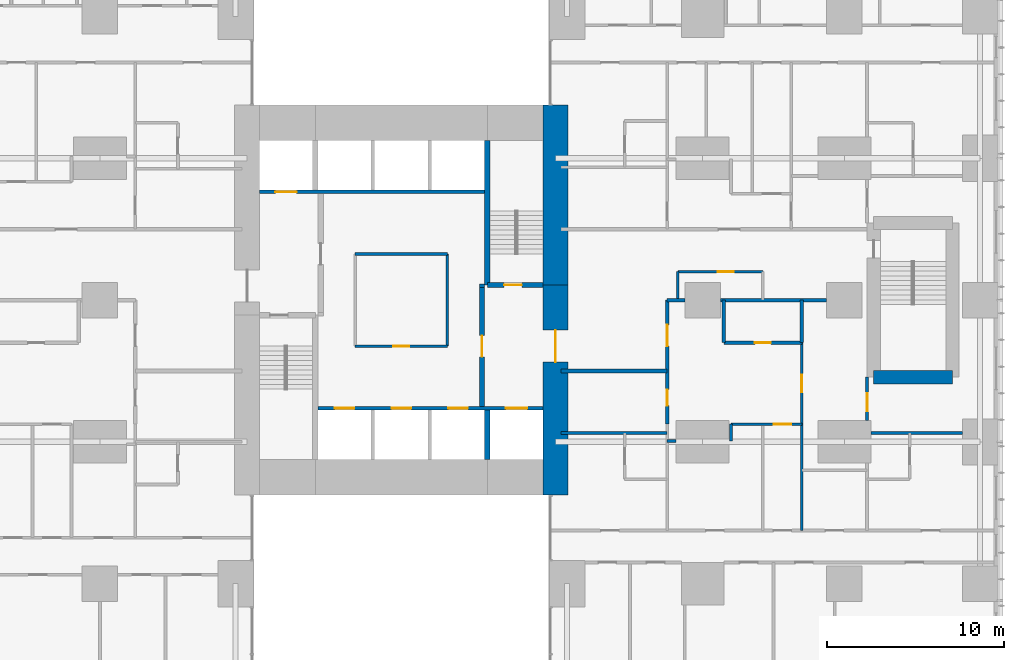
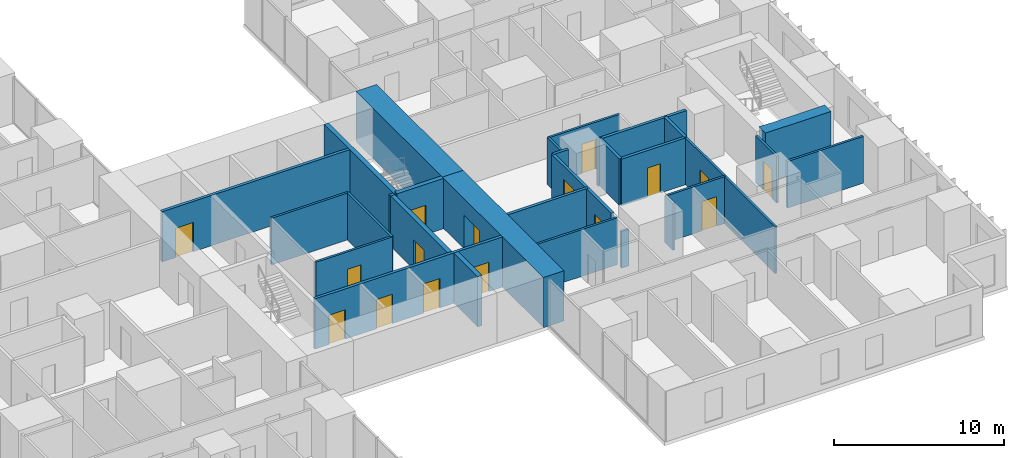
# One storey, part 15 of 20: 29 walls, 16 doors, 16 openings.
"""IFC4 building model written with IfcOpenShell, lengths in metres."""

from ifc_helpers import new_model, si_unit, direction, frame, frame_2d, origin, place, context, subcontext, project, spatial, rectangle, extrude, material, layer, layer_set, type_object, element, fill, save


model = new_model("IFC4")

# Units and contexts
model_context = context("Model", 3, precision=1e-05, world=origin(), true_north=direction((0.0, 1.0)))
body_context = subcontext(model_context, "Body", "Model", "MODEL_VIEW")
ifc_project = project(units=[si_unit("LENGTHUNIT", "METRE"), si_unit("AREAUNIT", "SQUARE_METRE"), si_unit("VOLUMEUNIT", "CUBIC_METRE"), si_unit("PLANEANGLEUNIT", "RADIAN"), si_unit("MASSUNIT", "GRAM", prefix="KILO")], contexts=[model_context])

# Site, building, storey
site_placement = place(None, origin())
site = spatial("IfcSite", under=ifc_project, at=site_placement, CompositionType="ELEMENT")
building_placement = place(site_placement, origin())
building = spatial("IfcBuilding", under=site, at=building_placement, Name="Cleftline Residences", CompositionType="ELEMENT")
storey_placement = place(building_placement, frame((0.0, 0.0, 121.39990234375)))
storey = spatial("IfcBuildingStorey", under=building, at=storey_placement, Name="L31", CompositionType="ELEMENT", Elevation=121.39990234375)

# Wall, opening, door
ifc_material_1 = material(Name="Concrete B70", Category="concrete")
ifc_layer_1 = layer(ifc_material_1, 1.39990234375)
ifc_layer_set_1 = layer_set([ifc_layer_1], Name="CORE WALL 1400")
wall_type_1 = type_object("IfcWallType", Name="CORE WALL 1400", PredefinedType="SHEAR", material=ifc_layer_set_1)
wall_1_placement = place(storey_placement, frame((41.699951171875, 13.0, 0.0), z_axis=(0.0, 0.0, 1.0), x_axis=(0.0, 1.0, 0.0)))
wall_1 = element("IfcWall", 1, at=wall_1_placement, inside=storey, type_object=wall_type_1, Name="Core wall E", PredefinedType="SHEAR", context=body_context, shape_type="SweptSolid", body=[
    extrude(rectangle(XDim=11.85009765625, YDim=1.39990234375, at=frame_2d((5.925048828125, 0.0))), origin(), (0.0, 0.0, 1.0), 3.60009765625),
])
opening_1_placement = place(wall_1_placement, frame((7.5, 0.0, 0.0)))
opening_1 = element("IfcOpeningElement", 2, at=opening_1_placement, cuts=wall_1, Name="Opening D7", PredefinedType="OPENING", context=body_context, shape_type="SweptSolid", body=[
    extrude(rectangle(XDim=1.800048828125, YDim=2.39990234375, at=frame_2d((0.89990234375, 1.199951171875))), frame((0.0, 0.7099609375, 0.0), z_axis=(0.0, -1.0, 0.0), x_axis=(1.0, 0.0, 0.0)), (0.0, 0.0, 1.0), 1.419921875),
])
ifc_material_2 = material(Name="Steel", Category="steel")
door_type_1 = type_object("IfcDoorType", Name="WING DOOR 1800X2400", OperationType="DOUBLE_DOOR_DOUBLE_SWING", PredefinedType="DOOR", material=ifc_material_2)
door_1_placement = place(opening_1_placement, origin())
door_1 = element("IfcDoor", 3, at=door_1_placement, inside=storey, type_object=door_type_1, Name="East wing door", OperationType="DOUBLE_DOOR_DOUBLE_SWING", OverallHeight=2.39990234375, OverallWidth=1.800048828125, PredefinedType="DOOR", context=body_context, shape_type="SweptSolid", body=[
    extrude(rectangle(XDim=1.800048828125, YDim=2.39990234375, at=frame_2d((0.89990234375, 1.199951171875))), frame((0.0, 0.02490234375, 0.0), z_axis=(0.0, -1.0, 0.0), x_axis=(1.0, 0.0, 0.0)), (0.0, 0.0, 1.0), 0.050048828125),
])
fill(opening_1, door_1)

# Walls
wall_2_placement = place(storey_placement, frame((41.699951171875, 24.85009765625, 0.0), z_axis=(0.0, 0.0, 1.0), x_axis=(0.0, 1.0, 0.0)))
element("IfcWall", 4, at=wall_2_placement, inside=storey, type_object=wall_type_1, Name="Core wall E1", PredefinedType="SHEAR", context=body_context, shape_type="SweptSolid", body=[
    extrude(rectangle(XDim=10.14990234375, YDim=1.39990234375, at=frame_2d((5.074951171875, 0.0))), origin(), (0.0, 0.0, 1.0), 3.60009765625),
])
ifc_material_3 = material(Name="Concrete B70", Category="concrete")
ifc_layer_2 = layer(ifc_material_3, 0.300048828125)
ifc_layer_set_2 = layer_set([ifc_layer_2], Name="CORE WALL 300")
wall_type_2 = type_object("IfcWallType", Name="CORE WALL 300", PredefinedType="SHEAR", material=ifc_layer_set_2)
wall_3_placement = place(storey_placement, frame((37.85009765625, 24.85009765625, 0.0), z_axis=(0.0, 0.0, 1.0), x_axis=(0.0, 1.0, 0.0)))
element("IfcWall", 5, at=wall_3_placement, inside=storey, type_object=wall_type_2, Name="Core wall SB-W", PredefinedType="SHEAR", context=body_context, shape_type="SweptSolid", body=[
    extrude(rectangle(XDim=8.14990234375, YDim=0.300048828125, at=frame_2d((4.074951171875, 0.0))), origin(), (0.0, 0.0, 1.0), 3.60009765625),
])

# Wall, opening, door
wall_4_placement = place(storey_placement, frame((37.85009765625, 24.85009765625, 0.0), z_axis=(0.0, 0.0, 1.0), x_axis=(1.0, 0.0, 0.0)))
wall_4 = element("IfcWall", 6, at=wall_4_placement, inside=storey, type_object=wall_type_2, Name="Core wall SB-S", PredefinedType="SHEAR", context=body_context, shape_type="SweptSolid", body=[
    extrude(rectangle(XDim=3.14990234375, YDim=0.300048828125, at=frame_2d((1.574951171875, 0.0))), origin(), (0.0, 0.0, 1.0), 3.60009765625),
])
opening_2_placement = place(wall_4_placement, frame((0.949951171875, 0.0, 0.0)))
opening_2 = element("IfcOpeningElement", 7, at=opening_2_placement, cuts=wall_4, Name="Opening D5", PredefinedType="OPENING", context=body_context, shape_type="SweptSolid", body=[
    extrude(rectangle(XDim=1.0, YDim=2.10009765625, at=frame_2d((0.5, 1.050048828125))), frame((0.0, 0.159912109375, 0.0), z_axis=(0.0, -1.0, 0.0), x_axis=(1.0, 0.0, 0.0)), (0.0, 0.0, 1.0), 0.320068359375),
])
ifc_material_4 = material(Name="Steel", Category="steel")
door_type_2 = type_object("IfcDoorType", Name="STAIR DOOR 1000X2100", OperationType="SINGLE_SWING_LEFT", PredefinedType="DOOR", material=ifc_material_4)
door_2_placement = place(opening_2_placement, origin())
door_2 = element("IfcDoor", 8, at=door_2_placement, inside=storey, type_object=door_type_2, Name="Stair B door", OperationType="SINGLE_SWING_RIGHT", OverallHeight=2.10009765625, OverallWidth=1.0, PredefinedType="DOOR", context=body_context, shape_type="SweptSolid", body=[
    extrude(rectangle(XDim=1.0, YDim=2.10009765625, at=frame_2d((0.5, 1.050048828125))), frame((0.0, 0.02490234375, 0.0), z_axis=(0.0, -1.0, 0.0), x_axis=(1.0, 0.0, 0.0)), (0.0, 0.0, 1.0), 0.050048828125),
])
fill(opening_2, door_2)

# Walls
wall_5_placement = place(storey_placement, frame((37.85009765625, 15.0, 0.0), z_axis=(0.0, 0.0, 1.0), x_axis=(0.0, 1.0, 0.0)))
element("IfcWall", 9, at=wall_5_placement, inside=storey, type_object=wall_type_2, Name="Lift shaft wall", PredefinedType="SHEAR", context=body_context, shape_type="SweptSolid", body=[
    extrude(rectangle(XDim=2.800048828125, YDim=0.300048828125, at=frame_2d((1.39990234375, 0.0))), origin(), (0.0, 0.0, 1.0), 3.60009765625),
])
ifc_material_5 = material(Name="Concrete blockwork, fire rated", Category="masonry")
ifc_layer_3 = layer(ifc_material_5, 0.199951171875)
ifc_layer_set_3 = layer_set([ifc_layer_3], Name="FIRE WALL 200")
wall_type_3 = type_object("IfcWallType", Name="FIRE WALL 200", PredefinedType="PARTITIONING", material=ifc_layer_set_3)
wall_6_placement = place(storey_placement, frame((42.0, 20.0, 0.0), z_axis=(0.0, 0.0, 1.0), x_axis=(1.0, 0.0, 0.0)))
element("IfcWall", 10, at=wall_6_placement, inside=storey, type_object=wall_type_3, Name="Fire separating wall", PredefinedType="PARTITIONING", context=body_context, shape_type="SweptSolid", body=[
    extrude(rectangle(XDim=6.0, YDim=0.199951171875, at=frame_2d((3.0, 0.0))), origin(), (0.0, 0.0, 1.0), 3.35009765625),
])

# Wall, opening, door
wall_7_placement = place(storey_placement, frame((51.199951171875, 21.60009765625, 0.0), z_axis=(0.0, 0.0, 1.0), x_axis=(1.0, 0.0, 0.0)))
wall_7 = element("IfcWall", 11, at=wall_7_placement, inside=storey, type_object=wall_type_3, Name="Fire separating wall", PredefinedType="PARTITIONING", context=body_context, shape_type="SweptSolid", body=[
    extrude(rectangle(XDim=4.400146484375, YDim=0.199951171875, at=frame_2d((2.2001953125, 0.0))), origin(), (0.0, 0.0, 1.0), 3.35009765625),
])
opening_3_placement = place(wall_7_placement, frame((1.75, 0.0, 0.0)))
opening_3 = element("IfcOpeningElement", 12, at=opening_3_placement, cuts=wall_7, Name="Opening D1F30", PredefinedType="OPENING", context=body_context, shape_type="SweptSolid", body=[
    extrude(rectangle(XDim=0.89990234375, YDim=2.10009765625, at=frame_2d((0.449951171875, 1.050048828125))), frame((0.0, 0.10986328125, 0.0), z_axis=(0.0, -1.0, 0.0), x_axis=(1.0, 0.0, 0.0)), (0.0, 0.0, 1.0), 0.219970703125),
])
ifc_material_6 = material(Name="Timber veneer on solid core", Category="wood")
door_type_3 = type_object("IfcDoorType", Name="DOOR 900X2100 EI 30", OperationType="SINGLE_SWING_LEFT", PredefinedType="DOOR", material=ifc_material_6)
door_3_placement = place(opening_3_placement, origin())
door_3 = element("IfcDoor", 13, at=door_3_placement, inside=storey, type_object=door_type_3, Name="Door to cloakroom wc", OperationType="SINGLE_SWING_LEFT", OverallHeight=2.10009765625, OverallWidth=0.89990234375, PredefinedType="DOOR", context=body_context, shape_type="SweptSolid", body=[
    extrude(rectangle(XDim=0.89990234375, YDim=2.10009765625, at=frame_2d((0.449951171875, 1.050048828125))), frame((0.0, 0.02490234375, 0.0), z_axis=(0.0, -1.0, 0.0), x_axis=(1.0, 0.0, 0.0)), (0.0, 0.0, 1.0), 0.050048828125),
])
fill(opening_3, door_3)

# Walls
wall_8_placement = place(storey_placement, frame((48.0, 24.0, 0.0), z_axis=(0.0, 0.0, 1.0), x_axis=(1.0, 0.0, 0.0)))
element("IfcWall", 14, at=wall_8_placement, inside=storey, type_object=wall_type_3, Name="Fire separating wall", PredefinedType="PARTITIONING", context=body_context, shape_type="SweptSolid", body=[
    extrude(rectangle(XDim=1.0, YDim=0.199951171875, at=frame_2d((0.5, 0.0))), origin(), (0.0, 0.0, 1.0), 3.35009765625),
])
wall_9_placement = place(storey_placement, frame((51.0, 24.0, 0.0), z_axis=(0.0, 0.0, 1.0), x_axis=(1.0, 0.0, 0.0)))
element("IfcWall", 15, at=wall_9_placement, inside=storey, type_object=wall_type_3, Name="Fire separating wall", PredefinedType="PARTITIONING", context=body_context, shape_type="SweptSolid", body=[
    extrude(rectangle(XDim=6.0, YDim=0.199951171875, at=frame_2d((3.0, 0.0))), origin(), (0.0, 0.0, 1.0), 3.35009765625),
])

# Wall, openings, doors
wall_10_placement = place(storey_placement, frame((48.0, 17.0, 0.0), z_axis=(0.0, 0.0, 1.0), x_axis=(0.0, 1.0, 0.0)))
wall_10 = element("IfcWall", 16, at=wall_10_placement, inside=storey, type_object=wall_type_3, Name="Fire separating wall", PredefinedType="PARTITIONING", context=body_context, shape_type="SweptSolid", body=[
    extrude(rectangle(XDim=7.0, YDim=0.199951171875, at=frame_2d((3.5, 0.0))), origin(), (0.0, 0.0, 1.0), 3.35009765625),
])
opening_4_placement = place(wall_10_placement, frame((4.39990234375, 0.0, 0.0)))
opening_4 = element("IfcOpeningElement", 17, at=opening_4_placement, cuts=wall_10, Name="Opening D4", PredefinedType="OPENING", context=body_context, shape_type="SweptSolid", body=[
    extrude(rectangle(XDim=1.199951171875, YDim=2.39990234375, at=frame_2d((0.60009765625, 1.199951171875))), frame((0.0, 0.10986328125, 0.0), z_axis=(0.0, -1.0, 0.0), x_axis=(1.0, 0.0, 0.0)), (0.0, 0.0, 1.0), 0.219970703125),
])
opening_5_placement = place(wall_10_placement, frame((1.050048828125, 0.0, 0.0)))
opening_5 = element("IfcOpeningElement", 18, at=opening_5_placement, cuts=wall_10, Name="Opening D1F30", PredefinedType="OPENING", context=body_context, shape_type="SweptSolid", body=[
    extrude(rectangle(XDim=0.89990234375, YDim=2.10009765625, at=frame_2d((0.449951171875, 1.050048828125))), frame((0.0, 0.10986328125, 0.0), z_axis=(0.0, -1.0, 0.0), x_axis=(1.0, 0.0, 0.0)), (0.0, 0.0, 1.0), 0.219970703125),
])
ifc_material_7 = material(Name="Timber veneer on solid core", Category="wood")
door_type_4 = type_object("IfcDoorType", Name="APARTMENT ENTRANCE DOOR 1200X2400", OperationType="SINGLE_SWING_RIGHT", PredefinedType="DOOR", material=ifc_material_7)
door_4_placement = place(opening_4_placement, origin())
door_4 = element("IfcDoor", 19, at=door_4_placement, inside=storey, type_object=door_type_4, Name="Door to residence entrance foyer", OperationType="SINGLE_SWING_LEFT", OverallHeight=2.39990234375, OverallWidth=1.199951171875, PredefinedType="DOOR", context=body_context, shape_type="SweptSolid", body=[
    extrude(rectangle(XDim=1.199951171875, YDim=2.39990234375, at=frame_2d((0.60009765625, 1.199951171875))), frame((0.0, 0.02490234375, 0.0), z_axis=(0.0, -1.0, 0.0), x_axis=(1.0, 0.0, 0.0)), (0.0, 0.0, 1.0), 0.050048828125),
])
fill(opening_4, door_4)
door_5_placement = place(opening_5_placement, origin())
door_5 = element("IfcDoor", 20, at=door_5_placement, inside=storey, type_object=door_type_3, Name="Door to laundry", OperationType="SINGLE_SWING_RIGHT", OverallHeight=2.10009765625, OverallWidth=0.89990234375, PredefinedType="DOOR", context=body_context, shape_type="SweptSolid", body=[
    extrude(rectangle(XDim=0.89990234375, YDim=2.10009765625, at=frame_2d((0.449951171875, 1.050048828125))), frame((0.0, 0.02490234375, 0.0), z_axis=(0.0, -1.0, 0.0), x_axis=(1.0, 0.0, 0.0)), (0.0, 0.0, 1.0), 0.050048828125),
])
fill(opening_5, door_5)

# Walls
for number, where, z_axis, x_axis, name in (
    (21, (51.199951171875, 21.60009765625, 0.0), (0.0, 0.0, 1.0), (0.0, 1.0, 0.0), "Fire separating wall"),
    (22, (55.60009765625, 21.60009765625, 0.0), (0.0, 0.0, 1.0), (0.0, 1.0, 0.0), "Fire separating wall"),
):
    element("IfcWall", number, at=place(storey_placement, frame(where, z_axis=z_axis, x_axis=x_axis)), inside=storey, type_object=wall_type_3, Name=name, PredefinedType="PARTITIONING", context=body_context, shape_type="SweptSolid", body=[
        extrude(rectangle(XDim=2.39990234375, YDim=0.199951171875, at=frame_2d((1.199951171875, 0.0))), origin(), (0.0, 0.0, 1.0), 3.35009765625),
    ])
wall_11_placement = place(storey_placement, frame((37.39990234375, 24.800048828125, 0.0), z_axis=(0.0, 0.0, 1.0), x_axis=(1.0, 0.0, 0.0)))
element("IfcWall", 23, at=wall_11_placement, inside=storey, type_object=wall_type_3, Name="Fire separating wall", PredefinedType="PARTITIONING", context=body_context, shape_type="SweptSolid", body=[
    extrude(rectangle(XDim=0.300048828125, YDim=0.199951171875, at=frame_2d((0.14990234375, 0.0))), origin(), (0.0, 0.0, 1.0), 3.60009765625),
])
ifc_material_8 = material(Name="Gypsum board on steel studs", Category="steel")
ifc_layer_4 = layer(ifc_material_8, 0.14990234375)
ifc_layer_set_4 = layer_set([ifc_layer_4], Name="PARTITION 150")
wall_type_4 = type_object("IfcWallType", Name="PARTITION 150", PredefinedType="PARTITIONING", material=ifc_layer_set_4)
wall_12_placement = place(storey_placement, frame((48.0, 16.050048828125, 0.0), z_axis=(0.0, 0.0, 1.0), x_axis=(1.0, 0.0, 0.0)))
element("IfcWall", 24, at=wall_12_placement, inside=storey, type_object=wall_type_4, Name="Partition", PredefinedType="PARTITIONING", context=body_context, shape_type="SweptSolid", body=[
    extrude(rectangle(XDim=0.5, YDim=0.14990234375, at=frame_2d((0.25, 0.0))), origin(), (0.0, 0.0, 1.0), 2.634033203125),
])
wall_13_placement = place(storey_placement, frame((42.0, 16.5, 0.0), z_axis=(0.0, 0.0, 1.0), x_axis=(1.0, 0.0, 0.0)))
element("IfcWall", 25, at=wall_13_placement, inside=storey, type_object=wall_type_4, Name="Partition", PredefinedType="PARTITIONING", context=body_context, shape_type="SweptSolid", body=[
    extrude(rectangle(XDim=6.0, YDim=0.14990234375, at=frame_2d((3.0, 0.0))), origin(), (0.0, 0.0, 1.0), 3.35009765625),
])
wall_14_placement = place(storey_placement, frame((59.5, 16.5, 0.0), z_axis=(0.0, 0.0, 1.0), x_axis=(1.0, 0.0, 0.0)))
element("IfcWall", 26, at=wall_14_placement, inside=storey, type_object=wall_type_4, Name="Partition", PredefinedType="PARTITIONING", context=body_context, shape_type="SweptSolid", body=[
    extrude(rectangle(XDim=5.14990234375, YDim=0.14990234375, at=frame_2d((2.574951171875, 0.0))), origin(), (0.0, 0.0, 1.0), 3.35009765625),
])

# Wall, opening, door
wall_15_placement = place(storey_placement, frame((51.60009765625, 17.0, 0.0), z_axis=(0.0, 0.0, 1.0), x_axis=(1.0, 0.0, 0.0)))
wall_15 = element("IfcWall", 27, at=wall_15_placement, inside=storey, type_object=wall_type_4, Name="Partition", PredefinedType="PARTITIONING", context=body_context, shape_type="SweptSolid", body=[
    extrude(rectangle(XDim=4.0, YDim=0.14990234375, at=frame_2d((2.0, 0.0))), origin(), (0.0, 0.0, 1.0), 3.35009765625),
])
opening_6_placement = place(wall_15_placement, frame((2.39990234375, 0.0, 0.0)))
opening_6 = element("IfcOpeningElement", 28, at=opening_6_placement, cuts=wall_15, Name="Opening D2", PredefinedType="OPENING", context=body_context, shape_type="SweptSolid", body=[
    extrude(rectangle(XDim=1.0, YDim=2.10009765625, at=frame_2d((0.5, 1.050048828125))), frame((0.0, 0.0849609375, 0.0), z_axis=(0.0, -1.0, 0.0), x_axis=(1.0, 0.0, 0.0)), (0.0, 0.0, 1.0), 0.169921875),
])
ifc_material_9 = material(Name="Timber veneer on solid core", Category="wood")
door_type_5 = type_object("IfcDoorType", Name="DOOR 1000X2100", OperationType="SINGLE_SWING_LEFT", PredefinedType="DOOR", material=ifc_material_9)
door_6_placement = place(opening_6_placement, origin())
door_6 = element("IfcDoor", 29, at=door_6_placement, inside=storey, type_object=door_type_5, Name="Door to residence passage", OperationType="SINGLE_SWING_LEFT", OverallHeight=2.10009765625, OverallWidth=1.0, PredefinedType="DOOR", context=body_context, shape_type="SweptSolid", body=[
    extrude(rectangle(XDim=1.0, YDim=2.10009765625, at=frame_2d((0.5, 1.050048828125))), frame((0.0, 0.02490234375, 0.0), z_axis=(0.0, -1.0, 0.0), x_axis=(1.0, 0.0, 0.0)), (0.0, 0.0, 1.0), 0.050048828125),
])
fill(opening_6, door_6)

wall_16_placement = place(storey_placement, frame((48.60009765625, 25.60009765625, 0.0), z_axis=(0.0, 0.0, 1.0), x_axis=(1.0, 0.0, 0.0)))
wall_16 = element("IfcWall", 30, at=wall_16_placement, inside=storey, type_object=wall_type_4, Name="Partition", PredefinedType="PARTITIONING", context=body_context, shape_type="SweptSolid", body=[
    extrude(rectangle(XDim=4.7998046875, YDim=0.14990234375, at=frame_2d((2.39990234375, 0.0))), origin(), (0.0, 0.0, 1.0), 3.35009765625),
])
opening_7_placement = place(wall_16_placement, frame((2.25, 0.0, 0.0)))
opening_7 = element("IfcOpeningElement", 31, at=opening_7_placement, cuts=wall_16, Name="Opening D1", PredefinedType="OPENING", context=body_context, shape_type="SweptSolid", body=[
    extrude(rectangle(XDim=0.89990234375, YDim=2.10009765625, at=frame_2d((0.449951171875, 1.050048828125))), frame((0.0, 0.0849609375, 0.0), z_axis=(0.0, -1.0, 0.0), x_axis=(1.0, 0.0, 0.0)), (0.0, 0.0, 1.0), 0.169921875),
])
ifc_material_10 = material(Name="Timber veneer on solid core", Category="wood")
door_type_6 = type_object("IfcDoorType", Name="DOOR 900X2100", OperationType="SINGLE_SWING_LEFT", PredefinedType="DOOR", material=ifc_material_10)
door_7_placement = place(opening_7_placement, origin())
door_7 = element("IfcDoor", 32, at=door_7_placement, inside=storey, type_object=door_type_6, Name="Door to bulky waste room", OperationType="SINGLE_SWING_LEFT", OverallHeight=2.10009765625, OverallWidth=0.89990234375, PredefinedType="DOOR", context=body_context, shape_type="SweptSolid", body=[
    extrude(rectangle(XDim=0.89990234375, YDim=2.10009765625, at=frame_2d((0.449951171875, 1.050048828125))), frame((0.0, 0.02490234375, 0.0), z_axis=(0.0, -1.0, 0.0), x_axis=(1.0, 0.0, 0.0)), (0.0, 0.0, 1.0), 0.050048828125),
])
fill(opening_7, door_7)

# Walls
wall_17_placement = place(storey_placement, frame((48.60009765625, 24.0, 0.0), z_axis=(0.0, 0.0, 1.0), x_axis=(0.0, 1.0, 0.0)))
element("IfcWall", 33, at=wall_17_placement, inside=storey, type_object=wall_type_4, Name="Partition", PredefinedType="PARTITIONING", context=body_context, shape_type="SweptSolid", body=[
    extrude(rectangle(XDim=1.60009765625, YDim=0.14990234375, at=frame_2d((0.800048828125, 0.0))), origin(), (0.0, 0.0, 1.0), 3.35009765625),
])
wall_18_placement = place(storey_placement, frame((51.60009765625, 16.050048828125, 0.0), z_axis=(0.0, 0.0, 1.0), x_axis=(0.0, 1.0, 0.0)))
element("IfcWall", 34, at=wall_18_placement, inside=storey, type_object=wall_type_4, Name="Partition", PredefinedType="PARTITIONING", context=body_context, shape_type="SweptSolid", body=[
    extrude(rectangle(XDim=0.949951171875, YDim=0.14990234375, at=frame_2d((0.47509765625, 0.0))), origin(), (0.0, 0.0, 1.0), 3.35009765625),
])

# Wall, opening, door
wall_19_placement = place(storey_placement, frame((55.60009765625, 11.0, 0.0), z_axis=(0.0, 0.0, 1.0), x_axis=(0.0, 1.0, 0.0)))
wall_19 = element("IfcWall", 35, at=wall_19_placement, inside=storey, type_object=wall_type_4, Name="Partition", PredefinedType="PARTITIONING", context=body_context, shape_type="SweptSolid", body=[
    extrude(rectangle(XDim=10.60009765625, YDim=0.14990234375, at=frame_2d((5.300048828125, 0.0))), origin(), (0.0, 0.0, 1.0), 3.35009765625),
])
opening_8_placement = place(wall_19_placement, frame((7.800048828125, 0.0, 0.0)))
opening_8 = element("IfcOpeningElement", 36, at=opening_8_placement, cuts=wall_19, Name="Opening D2F30", PredefinedType="OPENING", context=body_context, shape_type="SweptSolid", body=[
    extrude(rectangle(XDim=1.0, YDim=2.10009765625, at=frame_2d((0.5, 1.050048828125))), frame((0.0, 0.0849609375, 0.0), z_axis=(0.0, -1.0, 0.0), x_axis=(1.0, 0.0, 0.0)), (0.0, 0.0, 1.0), 0.169921875),
])
ifc_material_11 = material(Name="Timber veneer on solid core", Category="wood")
door_type_7 = type_object("IfcDoorType", Name="DOOR 1000X2100 EI 30", OperationType="SINGLE_SWING_LEFT", PredefinedType="DOOR", material=ifc_material_11)
door_8_placement = place(opening_8_placement, origin())
door_8 = element("IfcDoor", 37, at=door_8_placement, inside=storey, type_object=door_type_7, Name="Door to residence lobby", OperationType="SINGLE_SWING_LEFT", OverallHeight=2.10009765625, OverallWidth=1.0, PredefinedType="DOOR", context=body_context, shape_type="SweptSolid", body=[
    extrude(rectangle(XDim=1.0, YDim=2.10009765625, at=frame_2d((0.5, 1.050048828125))), frame((0.0, 0.02490234375, 0.0), z_axis=(0.0, -1.0, 0.0), x_axis=(1.0, 0.0, 0.0)), (0.0, 0.0, 1.0), 0.050048828125),
])
fill(opening_8, door_8)

wall_20_placement = place(storey_placement, frame((59.27490234375, 17.199951171875, 0.0), z_axis=(0.0, 0.0, 1.0), x_axis=(0.0, 1.0, 0.0)))
wall_20 = element("IfcWall", 38, at=wall_20_placement, inside=storey, type_object=wall_type_4, Name="Partition", PredefinedType="PARTITIONING", context=body_context, shape_type="SweptSolid", body=[
    extrude(rectangle(XDim=2.449951171875, YDim=0.14990234375, at=frame_2d((1.22509765625, 0.0))), origin(), (0.0, 0.0, 1.0), 3.35009765625),
])
opening_9_placement = place(wall_20_placement, frame((0.53759765625, 0.0, 0.0)))
opening_9 = element("IfcOpeningElement", 39, at=opening_9_placement, cuts=wall_20, Name="Opening D2", PredefinedType="OPENING", context=body_context, shape_type="SweptSolid", body=[
    extrude(rectangle(XDim=1.0, YDim=2.10009765625, at=frame_2d((0.5, 1.050048828125))), frame((0.0, 0.0849609375, 0.0), z_axis=(0.0, -1.0, 0.0), x_axis=(1.0, 0.0, 0.0)), (0.0, 0.0, 1.0), 0.169921875),
])
door_9_placement = place(opening_9_placement, origin())
door_9 = element("IfcDoor", 40, at=door_9_placement, inside=storey, type_object=door_type_5, Name="Door to winter garden", OperationType="SINGLE_SWING_RIGHT", OverallHeight=2.10009765625, OverallWidth=1.0, PredefinedType="DOOR", context=body_context, shape_type="SweptSolid", body=[
    extrude(rectangle(XDim=1.0, YDim=2.10009765625, at=frame_2d((0.5, 1.050048828125))), frame((0.0, 0.02490234375, 0.0), z_axis=(0.0, -1.0, 0.0), x_axis=(1.0, 0.0, 0.0)), (0.0, 0.0, 1.0), 0.050048828125),
])
fill(opening_9, door_9)

ifc_material_12 = material(Name="Fire-resisting gypsum board on steel studs", Category="steel")
ifc_layer_5 = layer(ifc_material_12, 0.14990234375)
ifc_layer_set_5 = layer_set([ifc_layer_5], Name="PARTITION 150 EI 60")
wall_type_5 = type_object("IfcWallType", Name="PARTITION 150 EI 60", PredefinedType="PARTITIONING", material=ifc_layer_set_5)
wall_21_placement = place(storey_placement, frame((30.39990234375, 21.39990234375, 0.0), z_axis=(0.0, 0.0, 1.0), x_axis=(1.0, 0.0, 0.0)))
wall_21 = element("IfcWall", 41, at=wall_21_placement, inside=storey, type_object=wall_type_5, Name="Core room partition", PredefinedType="PARTITIONING", context=body_context, shape_type="SweptSolid", body=[
    extrude(rectangle(XDim=5.2001953125, YDim=0.14990234375, at=frame_2d((2.60009765625, 0.0))), origin(), (0.0, 0.0, 1.0), 3.35009765625),
])
opening_10_placement = place(wall_21_placement, frame((2.14990234375, 0.0, 0.0)))
opening_10 = element("IfcOpeningElement", 42, at=opening_10_placement, cuts=wall_21, Name="Opening D1F30", PredefinedType="OPENING", context=body_context, shape_type="SweptSolid", body=[
    extrude(rectangle(XDim=0.89990234375, YDim=2.10009765625, at=frame_2d((0.449951171875, 1.050048828125))), frame((0.0, 0.0849609375, 0.0), z_axis=(0.0, -1.0, 0.0), x_axis=(1.0, 0.0, 0.0)), (0.0, 0.0, 1.0), 0.169921875),
])
door_10_placement = place(opening_10_placement, origin())
door_10 = element("IfcDoor", 43, at=door_10_placement, inside=storey, type_object=door_type_3, Name="Door to housekeeping store", OperationType="SINGLE_SWING_LEFT", OverallHeight=2.10009765625, OverallWidth=0.89990234375, PredefinedType="DOOR", context=body_context, shape_type="SweptSolid", body=[
    extrude(rectangle(XDim=0.89990234375, YDim=2.10009765625, at=frame_2d((0.449951171875, 1.050048828125))), frame((0.0, 0.02490234375, 0.0), z_axis=(0.0, -1.0, 0.0), x_axis=(1.0, 0.0, 0.0)), (0.0, 0.0, 1.0), 0.050048828125),
])
fill(opening_10, door_10)

# Walls
for number, where, z_axis, x_axis, name in (
    (44, (30.39990234375, 26.60009765625, 0.0), (0.0, 0.0, 1.0), (1.0, 0.0, 0.0), "Core room partition"),
    (45, (35.60009765625, 21.39990234375, 0.0), (0.0, 0.0, 1.0), (0.0, 1.0, 0.0), "Core room partition"),
):
    element("IfcWall", number, at=place(storey_placement, frame(where, z_axis=z_axis, x_axis=x_axis)), inside=storey, type_object=wall_type_5, Name=name, PredefinedType="PARTITIONING", context=body_context, shape_type="SweptSolid", body=[
        extrude(rectangle(XDim=5.2001953125, YDim=0.14990234375, at=frame_2d((2.60009765625, 0.0))), origin(), (0.0, 0.0, 1.0), 3.35009765625),
    ])

# Wall, openings, doors
ifc_material_13 = material(Name="Concrete blockwork, fire rated", Category="masonry")
ifc_layer_6 = layer(ifc_material_13, 0.199951171875)
ifc_layer_set_6 = layer_set([ifc_layer_6], Name="SHAFT WALL 200")
wall_type_6 = type_object("IfcWallType", Name="SHAFT WALL 200", PredefinedType="PARTITIONING", material=ifc_layer_set_6)
wall_22_placement = place(storey_placement, frame((28.300048828125, 17.89990234375, 0.0), z_axis=(0.0, 0.0, 1.0), x_axis=(1.0, 0.0, 0.0)))
wall_22 = element("IfcWall", 46, at=wall_22_placement, inside=storey, type_object=wall_type_6, Name="Lift shaft wall", PredefinedType="PARTITIONING", context=body_context, shape_type="SweptSolid", body=[
    extrude(rectangle(XDim=12.699951171875, YDim=0.199951171875, at=frame_2d((6.35009765625, 0.0))), origin(), (0.0, 0.0, 1.0), 3.60009765625),
])
opening_11_placement = place(wall_22_placement, frame((0.949951171875, 0.0, 0.0)))
opening_11 = element("IfcOpeningElement", 47, at=opening_11_placement, cuts=wall_22, Name="Opening LD1", PredefinedType="OPENING", context=body_context, shape_type="SweptSolid", body=[
    extrude(rectangle(XDim=1.10009765625, YDim=2.10009765625, at=frame_2d((0.550048828125, 1.050048828125))), frame((0.0, 0.10986328125, 0.0), z_axis=(0.0, -1.0, 0.0), x_axis=(1.0, 0.0, 0.0)), (0.0, 0.0, 1.0), 0.219970703125),
])
opening_12_placement = place(wall_22_placement, frame((4.14990234375, 0.0, 0.0)))
opening_12 = element("IfcOpeningElement", 48, at=opening_12_placement, cuts=wall_22, Name="Opening LD1", PredefinedType="OPENING", context=body_context, shape_type="SweptSolid", body=[
    extrude(rectangle(XDim=1.10009765625, YDim=2.10009765625, at=frame_2d((0.550048828125, 1.050048828125))), frame((0.0, 0.10986328125, 0.0), z_axis=(0.0, -1.0, 0.0), x_axis=(1.0, 0.0, 0.0)), (0.0, 0.0, 1.0), 0.219970703125),
])
opening_13_placement = place(wall_22_placement, frame((7.35009765625, 0.0, 0.0)))
opening_13 = element("IfcOpeningElement", 49, at=opening_13_placement, cuts=wall_22, Name="Opening LD1", PredefinedType="OPENING", context=body_context, shape_type="SweptSolid", body=[
    extrude(rectangle(XDim=1.10009765625, YDim=2.10009765625, at=frame_2d((0.550048828125, 1.050048828125))), frame((0.0, 0.10986328125, 0.0), z_axis=(0.0, -1.0, 0.0), x_axis=(1.0, 0.0, 0.0)), (0.0, 0.0, 1.0), 0.219970703125),
])
opening_14_placement = place(wall_22_placement, frame((10.60009765625, 0.0, 0.0)))
opening_14 = element("IfcOpeningElement", 50, at=opening_14_placement, cuts=wall_22, Name="Opening LD2", PredefinedType="OPENING", context=body_context, shape_type="SweptSolid", body=[
    extrude(rectangle(XDim=1.199951171875, YDim=2.10009765625, at=frame_2d((0.60009765625, 1.050048828125))), frame((0.0, 0.10986328125, 0.0), z_axis=(0.0, -1.0, 0.0), x_axis=(1.0, 0.0, 0.0)), (0.0, 0.0, 1.0), 0.219970703125),
])
ifc_material_14 = material(Name="Steel", Category="steel")
door_type_8 = type_object("IfcDoorType", Name="FIREFIGHTING LIFT LANDING DOOR 1200X2100", OperationType="SLIDING_TO_LEFT", PredefinedType="DOOR", material=ifc_material_14)
door_11_placement = place(opening_14_placement, origin())
door_11 = element("IfcDoor", 51, at=door_11_placement, inside=storey, type_object=door_type_8, Name="Lift FL2 landing door", OperationType="SLIDING_TO_LEFT", OverallHeight=2.10009765625, OverallWidth=1.199951171875, PredefinedType="DOOR", context=body_context, shape_type="SweptSolid", body=[
    extrude(rectangle(XDim=1.199951171875, YDim=2.10009765625, at=frame_2d((0.60009765625, 1.050048828125))), frame((0.0, 0.02490234375, 0.0), z_axis=(0.0, -1.0, 0.0), x_axis=(1.0, 0.0, 0.0)), (0.0, 0.0, 1.0), 0.050048828125),
])
fill(opening_14, door_11)
ifc_material_15 = material(Name="Steel", Category="steel")
door_type_9 = type_object("IfcDoorType", Name="LIFT LANDING DOOR 1100X2100", OperationType="SLIDING_TO_LEFT", PredefinedType="DOOR", material=ifc_material_15)
door_12_placement = place(opening_11_placement, origin())
door_12 = element("IfcDoor", 52, at=door_12_placement, inside=storey, type_object=door_type_9, Name="Lift P1 landing door", OperationType="SLIDING_TO_LEFT", OverallHeight=2.10009765625, OverallWidth=1.10009765625, PredefinedType="DOOR", context=body_context, shape_type="SweptSolid", body=[
    extrude(rectangle(XDim=1.10009765625, YDim=2.10009765625, at=frame_2d((0.550048828125, 1.050048828125))), frame((0.0, 0.02490234375, 0.0), z_axis=(0.0, -1.0, 0.0), x_axis=(1.0, 0.0, 0.0)), (0.0, 0.0, 1.0), 0.050048828125),
])
fill(opening_11, door_12)
door_13_placement = place(opening_12_placement, origin())
door_13 = element("IfcDoor", 53, at=door_13_placement, inside=storey, type_object=door_type_9, Name="Lift P2 landing door", OperationType="SLIDING_TO_LEFT", OverallHeight=2.10009765625, OverallWidth=1.10009765625, PredefinedType="DOOR", context=body_context, shape_type="SweptSolid", body=[
    extrude(rectangle(XDim=1.10009765625, YDim=2.10009765625, at=frame_2d((0.550048828125, 1.050048828125))), frame((0.0, 0.02490234375, 0.0), z_axis=(0.0, -1.0, 0.0), x_axis=(1.0, 0.0, 0.0)), (0.0, 0.0, 1.0), 0.050048828125),
])
fill(opening_12, door_13)
door_14_placement = place(opening_13_placement, origin())
door_14 = element("IfcDoor", 54, at=door_14_placement, inside=storey, type_object=door_type_9, Name="Lift P3 landing door", OperationType="SLIDING_TO_LEFT", OverallHeight=2.10009765625, OverallWidth=1.10009765625, PredefinedType="DOOR", context=body_context, shape_type="SweptSolid", body=[
    extrude(rectangle(XDim=1.10009765625, YDim=2.10009765625, at=frame_2d((0.550048828125, 1.050048828125))), frame((0.0, 0.02490234375, 0.0), z_axis=(0.0, -1.0, 0.0), x_axis=(1.0, 0.0, 0.0)), (0.0, 0.0, 1.0), 0.050048828125),
])
fill(opening_13, door_14)

# Wall, opening, door
wall_23_placement = place(storey_placement, frame((25.0, 30.10009765625, 0.0), z_axis=(0.0, 0.0, 1.0), x_axis=(1.0, 0.0, 0.0)))
wall_23 = element("IfcWall", 55, at=wall_23_placement, inside=storey, type_object=wall_type_6, Name="Lift shaft wall", PredefinedType="PARTITIONING", context=body_context, shape_type="SweptSolid", body=[
    extrude(rectangle(XDim=12.699951171875, YDim=0.199951171875, at=frame_2d((6.35009765625, 0.0))), origin(), (0.0, 0.0, 1.0), 3.60009765625),
])
opening_15_placement = place(wall_23_placement, frame((0.89990234375, 0.0, 0.0)))
opening_15 = element("IfcOpeningElement", 56, at=opening_15_placement, cuts=wall_23, Name="Opening LD2", PredefinedType="OPENING", context=body_context, shape_type="SweptSolid", body=[
    extrude(rectangle(XDim=1.199951171875, YDim=2.10009765625, at=frame_2d((0.60009765625, 1.050048828125))), frame((0.0, 0.10986328125, 0.0), z_axis=(0.0, -1.0, 0.0), x_axis=(1.0, 0.0, 0.0)), (0.0, 0.0, 1.0), 0.219970703125),
])
door_15_placement = place(opening_15_placement, origin())
door_15 = element("IfcDoor", 57, at=door_15_placement, inside=storey, type_object=door_type_8, Name="Lift FL1 landing door", OperationType="SLIDING_TO_LEFT", OverallHeight=2.10009765625, OverallWidth=1.199951171875, PredefinedType="DOOR", context=body_context, shape_type="SweptSolid", body=[
    extrude(rectangle(XDim=1.199951171875, YDim=2.10009765625, at=frame_2d((0.60009765625, 1.050048828125))), frame((0.0, 0.02490234375, 0.0), z_axis=(0.0, -1.0, 0.0), x_axis=(1.0, 0.0, 0.0)), (0.0, 0.0, 1.0), 0.050048828125),
])
fill(opening_15, door_15)

# Wall
ifc_material_16 = material(Name="Concrete B70", Category="concrete")
ifc_layer_7 = layer(ifc_material_16, 0.75)
ifc_layer_set_7 = layer_set([ifc_layer_7], Name="SHEAR WALL 750")
wall_type_7 = type_object("IfcWallType", Name="SHEAR WALL 750", PredefinedType="SHEAR", material=ifc_layer_set_7)
wall_24_placement = place(storey_placement, frame((59.64990234375, 19.64990234375, 0.0), z_axis=(0.0, 0.0, 1.0), x_axis=(1.0, 0.0, 0.0)))
element("IfcWall", 58, at=wall_24_placement, inside=storey, type_object=wall_type_7, Name="Wing shear wall", PredefinedType="SHEAR", context=body_context, shape_type="SweptSolid", body=[
    extrude(rectangle(XDim=4.4501953125, YDim=0.75, at=frame_2d((2.22509765625, 0.0))), origin(), (0.0, 0.0, 1.0), 3.60009765625),
])

# Wall, opening, door
ifc_material_17 = material(Name="Concrete blockwork, fire rated", Category="masonry")
ifc_layer_8 = layer(ifc_material_17, 0.300048828125)
ifc_layer_set_8 = layer_set([ifc_layer_8], Name="STAIR LOBBY WALL 300")
wall_type_8 = type_object("IfcWallType", Name="STAIR LOBBY WALL 300", PredefinedType="PARTITIONING", material=ifc_layer_set_8)
wall_25_placement = place(storey_placement, frame((37.550048828125, 18.0, 0.0), z_axis=(0.0, 0.0, 1.0), x_axis=(0.0, 1.0, 0.0)))
wall_25 = element("IfcWall", 59, at=wall_25_placement, inside=storey, type_object=wall_type_8, Name="Stair and lobby wall FB-W", PredefinedType="PARTITIONING", context=body_context, shape_type="SweptSolid", body=[
    extrude(rectangle(XDim=6.699951171875, YDim=0.300048828125, at=frame_2d((3.35009765625, 0.0))), origin(), (0.0, 0.0, 1.0), 3.60009765625),
])
opening_16_placement = place(wall_25_placement, frame((2.800048828125, 0.0, 0.0)))
opening_16 = element("IfcOpeningElement", 60, at=opening_16_placement, cuts=wall_25, Name="Opening D6", PredefinedType="OPENING", context=body_context, shape_type="SweptSolid", body=[
    extrude(rectangle(XDim=1.199951171875, YDim=2.10009765625, at=frame_2d((0.60009765625, 1.050048828125))), frame((0.0, 0.159912109375, 0.0), z_axis=(0.0, -1.0, 0.0), x_axis=(1.0, 0.0, 0.0)), (0.0, 0.0, 1.0), 0.320068359375),
])
ifc_material_18 = material(Name="Steel", Category="steel")
door_type_10 = type_object("IfcDoorType", Name="LOBBY DOOR 1200X2100", OperationType="SINGLE_SWING_RIGHT", PredefinedType="DOOR", material=ifc_material_18)
door_16_placement = place(opening_16_placement, origin())
door_16 = element("IfcDoor", 61, at=door_16_placement, inside=storey, type_object=door_type_10, Name="Firefighting lobby B door", OperationType="SINGLE_SWING_LEFT", OverallHeight=2.10009765625, OverallWidth=1.199951171875, PredefinedType="DOOR", context=body_context, shape_type="SweptSolid", body=[
    extrude(rectangle(XDim=1.199951171875, YDim=2.10009765625, at=frame_2d((0.60009765625, 1.050048828125))), frame((0.0, 0.02490234375, 0.0), z_axis=(0.0, -1.0, 0.0), x_axis=(1.0, 0.0, 0.0)), (0.0, 0.0, 1.0), 0.050048828125),
])
fill(opening_16, door_16)

save(model, "model.ifc")
